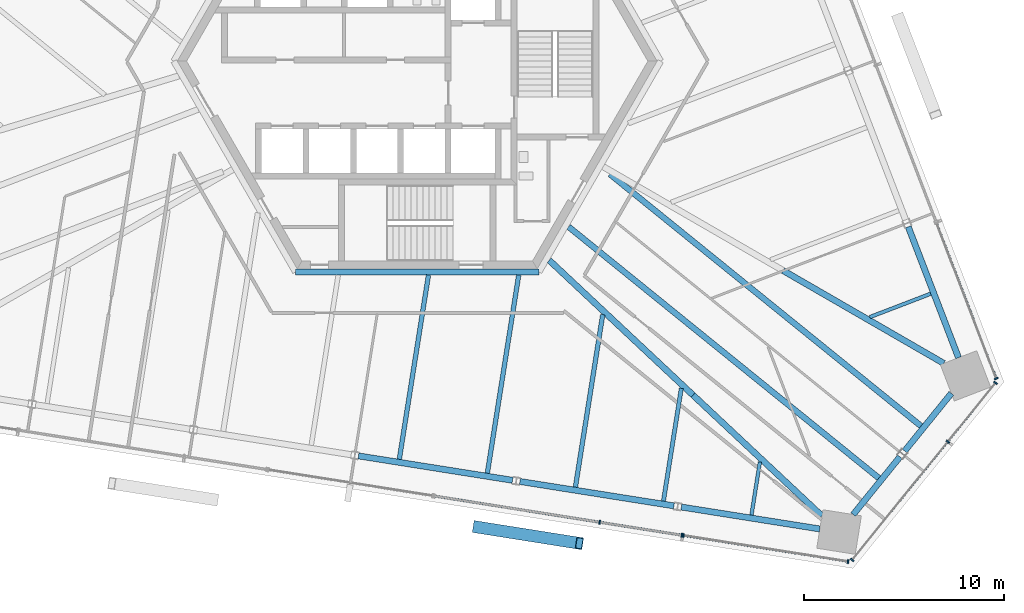
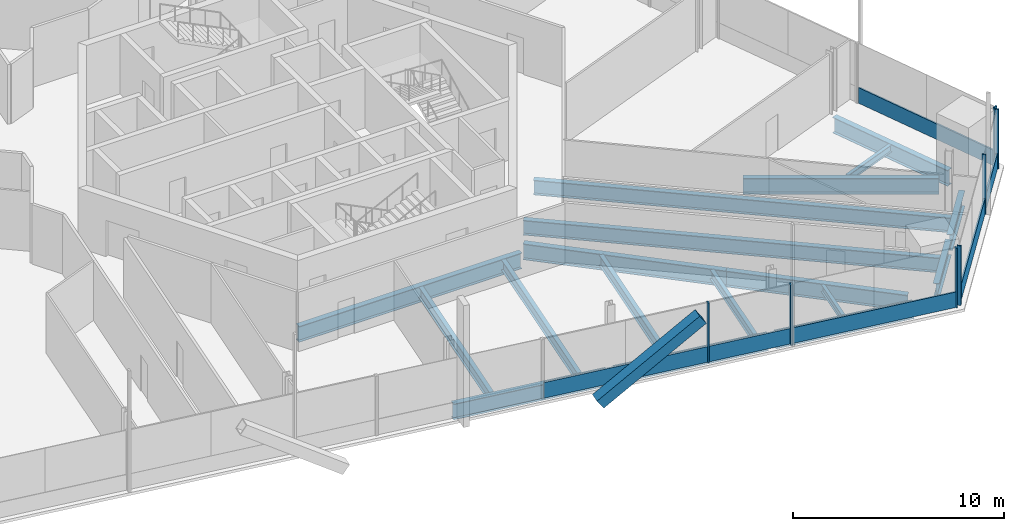
# One storey, part 6 of 21: 18 beams, 15 members, 4 elements without a shape of their own.
"""IFC4 building model written with IfcOpenShell, lengths in metres."""

from ifc_helpers import new_model, si_unit, direction, frame, origin, origin_2d, place, context, subcontext, project, spatial, rectangle, hollow_rectangle, i_section, extrude, source, transform, mapped, material, material_profile, profile_set, type_object, element, aggregate, save


model = new_model("IFC4")

# Units and contexts
model_context = context("Model", 3, precision=1e-05, world=origin(), true_north=direction((0.0, 1.0)))
body_context = subcontext(model_context, "Body", "Model", "MODEL_VIEW")
ifc_project = project(units=[si_unit("LENGTHUNIT", "METRE"), si_unit("AREAUNIT", "SQUARE_METRE"), si_unit("VOLUMEUNIT", "CUBIC_METRE"), si_unit("PLANEANGLEUNIT", "RADIAN"), si_unit("MASSUNIT", "GRAM", prefix="KILO")], contexts=[model_context])

# Site, building, storey
site_placement = place(None, origin())
site = spatial("IfcSite", under=ifc_project, at=site_placement, CompositionType="ELEMENT")
building_placement = place(site_placement, origin())
building = spatial("IfcBuilding", under=site, at=building_placement, Name="Triune Harvest Tower", CompositionType="ELEMENT")
storey_placement = place(building_placement, frame((0.0, 0.0, 160.5)))
storey = spatial("IfcBuildingStorey", under=building, at=storey_placement, Name="L41", CompositionType="ELEMENT", Elevation=160.5)

# Beams
ifc_material_1 = material(Name="Steel ASTM A992 Gr 50", Category="steel")
ifc_material_profile_1 = material_profile(ifc_material_1, i_section(OverallWidth=0.3046875, OverallDepth=0.914306640625, WebThickness=0.0166015625, FlangeThickness=0.02587890625, at=origin_2d()), Name="W36x160")
ifc_profile_set_1 = profile_set([ifc_material_profile_1], Name="Steel ASTM A992 Gr 50")
beam_type_1 = type_object("IfcBeamType", Name="CG-1 Core ring girder W36x160", PredefinedType="BEAM", material=ifc_profile_set_1)
shared_shape_1 = source(origin(), body_context, "Body", "SweptSolid", [
    extrude(i_section(OverallWidth=0.3046875, OverallDepth=0.914306640625, WebThickness=0.0166015625, FlangeThickness=0.02587890625, at=origin_2d()), origin(), (0.0, 0.0, 1.0), 12.17578125),
])
beam_1_placement = place(storey_placement, frame((-6.087890625, -10.544677734375, -0.6171875), z_axis=(1.0, 0.0, 0.0), x_axis=(0.0, 1.0, 0.0)))
element("IfcBeam", 1, at=beam_1_placement, inside=storey, type_object=beam_type_1, Name="beam/L41/CG5", PredefinedType="BEAM", context=body_context, shape_type="MappedRepresentation", body=[
    mapped(shared_shape_1, transform((0.0, 0.0, 0.0), scale=1.0)),
])
ifc_material_2 = material(Name="Steel ASTM A992 Gr 50", Category="steel")
ifc_material_profile_2 = material_profile(ifc_material_2, i_section(OverallWidth=0.307373046875, OverallDepth=0.922119140625, WebThickness=0.018310546875, FlangeThickness=0.030029296875, at=origin_2d()), Name="W36x182")
ifc_profile_set_2 = profile_set([ifc_material_profile_2], Name="Steel ASTM A992 Gr 50")
beam_type_2 = type_object("IfcBeamType", Name="HG-2 Hip girder W36x182", PredefinedType="BEAM", material=ifc_profile_set_2)
shared_shape_2 = source(origin(), body_context, "Body", "SweptSolid", [
    extrude(i_section(OverallWidth=0.307373046875, OverallDepth=0.922119140625, WebThickness=0.018310546875, FlangeThickness=0.030029296875, at=origin_2d()), origin(), (0.0, 0.0, 1.0), 9.85888671875),
])
beam_2_placement = place(storey_placement, frame((13.794189453125, -16.702392578125, -0.62109375), z_axis=(-0.729486233367, 0.683995493646, 0.0), x_axis=(-0.683995493646, -0.729486233367, 0.0)))
element("IfcBeam", 2, at=beam_2_placement, inside=storey, type_object=beam_type_2, Name="beam/L41/HG8", PredefinedType="BEAM", context=body_context, shape_type="MappedRepresentation", body=[
    mapped(shared_shape_2, transform((0.0, 0.0, 0.0), scale=1.0)),
])
ifc_material_3 = material(Name="Steel ASTM A992 Gr 50", Category="steel")
ifc_material_profile_3 = material_profile(ifc_material_3, i_section(OverallWidth=0.3046875, OverallDepth=0.914306640625, WebThickness=0.0166015625, FlangeThickness=0.02587890625, at=origin_2d()), Name="W36x160")
ifc_profile_set_3 = profile_set([ifc_material_profile_3], Name="Steel ASTM A992 Gr 50")
beam_type_3 = type_object("IfcBeamType", Name="SB-1 Spandrel beam W36x160", PredefinedType="SPANDREL", material=ifc_profile_set_3)
shared_shape_3 = source(origin(), body_context, "Body", "SweptSolid", [
    extrude(i_section(OverallWidth=0.3046875, OverallDepth=0.914306640625, WebThickness=0.0166015625, FlangeThickness=0.02587890625, at=origin_2d()), origin(), (0.0, 0.0, 1.0), 7.013427734375),
])
for number, where, z_axis, x_axis, name in (
    (3, (27.07568359375, -14.832275390625, -0.6171875), (-0.358372513984, 0.93357867436, 0.0), (-0.93357867436, -0.358372513984, 0.0), "beam/L41/SB1"),
    (4, (13.210205078125, -22.302978515625, -0.6171875), (0.987687489289, -0.156439839878, 0.0), (0.156439839878, 0.987687489289, 0.0), "beam/L41/SB22"),
):
    element("IfcBeam", number, at=place(storey_placement, frame(where, z_axis=z_axis, x_axis=x_axis)), inside=storey, type_object=beam_type_3, Name=name, PredefinedType="SPANDREL", context=body_context, shape_type="MappedRepresentation", body=[
        mapped(shared_shape_3, transform((0.0, 0.0, 0.0), scale=1.0)),
    ])
shared_shape_4 = source(origin(), body_context, "Body", "SweptSolid", [
    extrude(i_section(OverallWidth=0.3046875, OverallDepth=0.914306640625, WebThickness=0.0166015625, FlangeThickness=0.02587890625, at=origin_2d()), origin(), (0.0, 0.0, 1.0), 3.71240234375),
])
beam_3_placement = place(storey_placement, frame((21.808837890625, -22.677734375, -0.6171875), z_axis=(0.629351453127, 0.777120806855, 0.0), x_axis=(-0.777120806855, 0.629351453127, 0.0)))
element("IfcBeam", 5, at=beam_3_placement, inside=storey, type_object=beam_type_3, Name="beam/L41/SB23", PredefinedType="SPANDREL", context=body_context, shape_type="MappedRepresentation", body=[
    mapped(shared_shape_4, transform((0.0, 0.0, 0.0), scale=1.0)),
])
shared_shape_5 = source(origin(), body_context, "Body", "SweptSolid", [
    extrude(i_section(OverallWidth=0.3046875, OverallDepth=0.914306640625, WebThickness=0.0166015625, FlangeThickness=0.02587890625, at=origin_2d()), origin(), (0.0, 0.0, 1.0), 7.801513671875),
])
beam_4_placement = place(storey_placement, frame((5.135986328125, -21.024169921875, -0.6171875), z_axis=(0.98768800071, -0.156436610974, 0.0), x_axis=(0.156436610974, 0.98768800071, 0.0)))
element("IfcBeam", 6, at=beam_4_placement, inside=storey, type_object=beam_type_3, Name="beam/L41/SB21", PredefinedType="SPANDREL", context=body_context, shape_type="MappedRepresentation", body=[
    mapped(shared_shape_5, transform((0.0, 0.0, 0.0), scale=1.0)),
])
shared_shape_6 = source(origin(), body_context, "Body", "SweptSolid", [
    extrude(i_section(OverallWidth=0.3046875, OverallDepth=0.914306640625, WebThickness=0.0166015625, FlangeThickness=0.02587890625, at=origin_2d()), origin(), (0.0, 0.0, 1.0), 3.712646484375),
])
beam_5_placement = place(storey_placement, frame((24.380126953125, -19.50244140625, -0.6171875), z_axis=(0.629319290748, 0.777146852462, 0.0), x_axis=(-0.777146852462, 0.629319290748, 0.0)))
element("IfcBeam", 7, at=beam_5_placement, inside=storey, type_object=beam_type_3, Name="beam/L41/SB24", PredefinedType="SPANDREL", context=body_context, shape_type="MappedRepresentation", body=[
    mapped(shared_shape_6, transform((0.0, 0.0, 0.0), scale=1.0)),
])
shared_shape_7 = source(origin(), body_context, "Body", "SweptSolid", [
    extrude(i_section(OverallWidth=0.3046875, OverallDepth=0.914306640625, WebThickness=0.0166015625, FlangeThickness=0.02587890625, at=origin_2d()), origin(), (0.0, 0.0, 1.0), 7.80126953125),
])
beam_6_placement = place(storey_placement, frame((-2.938232421875, -19.745361328125, -0.6171875), z_axis=(0.987687234845, -0.15644144631, 0.0), x_axis=(0.15644144631, 0.987687234845, 0.0)))
element("IfcBeam", 8, at=beam_6_placement, inside=storey, type_object=beam_type_3, Name="beam/L41/SB20", PredefinedType="SPANDREL", context=body_context, shape_type="MappedRepresentation", body=[
    mapped(shared_shape_7, transform((0.0, 0.0, 0.0), scale=1.0)),
])
shared_shape_8 = source(origin(), body_context, "Body", "SweptSolid", [
    extrude(i_section(OverallWidth=0.307373046875, OverallDepth=0.922119140625, WebThickness=0.018310546875, FlangeThickness=0.030029296875, at=origin_2d()), origin(), (0.0, 0.0, 1.0), 9.28369140625),
])
beam_7_placement = place(storey_placement, frame((26.33837890625, -15.114990234375, -0.62109375), z_axis=(-0.86602880926, 0.499994101496, 0.0), x_axis=(-0.499994101496, -0.86602880926, 0.0)))
element("IfcBeam", 9, at=beam_7_placement, inside=storey, type_object=beam_type_2, Name="beam/L41/HG1", PredefinedType="BEAM", context=body_context, shape_type="MappedRepresentation", body=[
    mapped(shared_shape_8, transform((0.0, 0.0, 0.0), scale=1.0)),
])
shared_shape_9 = source(origin(), body_context, "Body", "SweptSolid", [
    extrude(i_section(OverallWidth=0.307373046875, OverallDepth=0.922119140625, WebThickness=0.018310546875, FlangeThickness=0.030029296875, at=origin_2d()), origin(), (0.0, 0.0, 1.0), 8.8369140625),
])
beam_8_placement = place(storey_placement, frame((20.24072265625, -22.746826171875, -0.62109375), z_axis=(-0.729491540387, 0.683989833626, 0.0), x_axis=(-0.683989833626, -0.729491540387, 0.0)))
element("IfcBeam", 10, at=beam_8_placement, inside=storey, type_object=beam_type_2, Name="beam/L41/HG7", PredefinedType="BEAM", context=body_context, shape_type="MappedRepresentation", body=[
    mapped(shared_shape_9, transform((0.0, 0.0, 0.0), scale=1.0)),
])
ifc_material_4 = material(Name="Steel ASTM A992 Gr 50", Category="steel")
ifc_material_profile_4 = material_profile(ifc_material_4, i_section(OverallWidth=0.180908203125, OverallDepth=0.41650390625, WebThickness=0.010986328125, FlangeThickness=0.01806640625, at=origin_2d()), Name="W16x57")
ifc_profile_set_4 = profile_set([ifc_material_profile_4], Name="Steel ASTM A992 Gr 50")
beam_type_4 = type_object("IfcBeamType", Name="JT-1 Floor joist W16x57", PredefinedType="JOIST", material=ifc_profile_set_4)
shared_shape_10 = source(origin(), body_context, "Body", "SweptSolid", [
    extrude(i_section(OverallWidth=0.180908203125, OverallDepth=0.41650390625, WebThickness=0.010986328125, FlangeThickness=0.01806640625, at=origin_2d()), origin(), (0.0, 0.0, 1.0), 3.260986328125),
])
beam_9_placement = place(storey_placement, frame((25.684814453125, -11.634033203125, -0.368408203125), z_axis=(-0.933600075775, -0.35831675723, 0.0), x_axis=(0.35831675723, -0.933600075775, 0.0)))
element("IfcBeam", 11, at=beam_9_placement, inside=storey, type_object=beam_type_4, Name="beam/L41/JT1", PredefinedType="JOIST", context=body_context, shape_type="MappedRepresentation", body=[
    mapped(shared_shape_10, transform((0.0, 0.0, 0.0), scale=1.0)),
])
ifc_material_5 = material(Name="Steel ASTM A992 Gr 50", Category="steel")
ifc_material_profile_5 = material_profile(ifc_material_5, i_section(OverallWidth=0.2919921875, OverallDepth=0.8583984375, WebThickness=0.01708984375, FlangeThickness=0.031005859375, at=origin_2d()), Name="W33x169")
ifc_profile_set_5 = profile_set([ifc_material_profile_5], Name="Steel ASTM A992 Gr 50")
beam_type_5 = type_object("IfcBeamType", Name="JT-7 Floor joist W33x169", PredefinedType="JOIST", material=ifc_profile_set_5)
shared_shape_11 = source(origin(), body_context, "Body", "SweptSolid", [
    extrude(i_section(OverallWidth=0.2919921875, OverallDepth=0.8583984375, WebThickness=0.01708984375, FlangeThickness=0.031005859375, at=origin_2d()), origin(), (0.0, 0.0, 1.0), 19.97216796875),
])
beam_10_placement = place(storey_placement, frame((23.090087890625, -20.853515625, -0.58935546875), z_axis=(-0.777140102023, 0.629327626779, 0.0), x_axis=(-0.629327626779, -0.777140102023, 0.0)))
element("IfcBeam", 12, at=beam_10_placement, inside=storey, type_object=beam_type_5, Name="beam/L41/JT35", PredefinedType="JOIST", context=body_context, shape_type="MappedRepresentation", body=[
    mapped(shared_shape_11, transform((0.0, 0.0, 0.0), scale=1.0)),
])
shared_shape_12 = source(origin(), body_context, "Body", "SweptSolid", [
    extrude(i_section(OverallWidth=0.2919921875, OverallDepth=0.8583984375, WebThickness=0.01708984375, FlangeThickness=0.031005859375, at=origin_2d()), origin(), (0.0, 0.0, 1.0), 20.01611328125),
])
beam_11_placement = place(storey_placement, frame((25.198486328125, -18.25, -0.58935546875), z_axis=(-0.777142320664, 0.629324887028, 0.0), x_axis=(-0.629324887028, -0.777142320664, 0.0)))
element("IfcBeam", 13, at=beam_11_placement, inside=storey, type_object=beam_type_5, Name="beam/L41/JT36", PredefinedType="JOIST", context=body_context, shape_type="MappedRepresentation", body=[
    mapped(shared_shape_12, transform((0.0, 0.0, 0.0), scale=1.0)),
])
ifc_material_6 = material(Name="Steel ASTM A992 Gr 50", Category="steel")
ifc_material_profile_6 = material_profile(ifc_material_6, i_section(OverallWidth=0.22900390625, OverallDepth=0.612060546875, WebThickness=0.011962890625, FlangeThickness=0.01953125, at=origin_2d()), Name="W24x84")
ifc_profile_set_6 = profile_set([ifc_material_profile_6], Name="Steel ASTM A992 Gr 50")
beam_type_6 = type_object("IfcBeamType", Name="JT-3 Floor joist W24x84", PredefinedType="JOIST", material=ifc_profile_set_6)
shared_shape_13 = source(origin(), body_context, "Body", "SweptSolid", [
    extrude(i_section(OverallWidth=0.22900390625, OverallDepth=0.612060546875, WebThickness=0.011962890625, FlangeThickness=0.01953125, at=origin_2d()), origin(), (0.0, 0.0, 1.0), 9.332275390625),
])
beam_12_placement = place(storey_placement, frame((-0.896728515625, -19.914306640625, -0.466064453125), z_axis=(0.156417974358, 0.987690952321, 0.0), x_axis=(-0.987690952321, 0.156417974358, 0.0)))
element("IfcBeam", 14, at=beam_12_placement, inside=storey, type_object=beam_type_6, Name="beam/L41/JT30", PredefinedType="JOIST", context=body_context, shape_type="MappedRepresentation", body=[
    mapped(shared_shape_13, transform((0.0, 0.0, 0.0), scale=1.0)),
])
shared_shape_14 = source(origin(), body_context, "Body", "SweptSolid", [
    extrude(i_section(OverallWidth=0.22900390625, OverallDepth=0.612060546875, WebThickness=0.011962890625, FlangeThickness=0.01953125, at=origin_2d()), origin(), (0.0, 0.0, 1.0), 10.03857421875),
])
beam_13_placement = place(storey_placement, frame((3.50732421875, -20.612060546875, -0.466064453125), z_axis=(0.156427136615, 0.987689501276, 0.0), x_axis=(-0.987689501276, 0.156427136615, 0.0)))
element("IfcBeam", 15, at=beam_13_placement, inside=storey, type_object=beam_type_6, Name="beam/L41/JT31", PredefinedType="JOIST", context=body_context, shape_type="MappedRepresentation", body=[
    mapped(shared_shape_14, transform((0.0, 0.0, 0.0), scale=1.0)),
])
shared_shape_15 = source(origin(), body_context, "Body", "SweptSolid", [
    extrude(i_section(OverallWidth=0.22900390625, OverallDepth=0.612060546875, WebThickness=0.011962890625, FlangeThickness=0.01953125, at=origin_2d()), origin(), (0.0, 0.0, 1.0), 8.73828125),
])
beam_14_placement = place(storey_placement, frame((7.91162109375, -21.3095703125, -0.466064453125), z_axis=(0.156433147227, 0.987688549315, 0.0), x_axis=(-0.987688549315, 0.156433147227, 0.0)))
element("IfcBeam", 16, at=beam_14_placement, inside=storey, type_object=beam_type_6, Name="beam/L41/JT32", PredefinedType="JOIST", context=body_context, shape_type="MappedRepresentation", body=[
    mapped(shared_shape_15, transform((0.0, 0.0, 0.0), scale=1.0)),
])
ifc_material_7 = material(Name="Steel ASTM A992 Gr 50", Category="steel")
ifc_material_profile_7 = material_profile(ifc_material_7, i_section(OverallWidth=0.2099609375, OverallDepth=0.535888671875, WebThickness=0.010986328125, FlangeThickness=0.017333984375, at=origin_2d()), Name="W21x68")
ifc_profile_set_7 = profile_set([ifc_material_profile_7], Name="Steel ASTM A992 Gr 50")
beam_type_7 = type_object("IfcBeamType", Name="JT-2 Floor joist W21x68", PredefinedType="JOIST", material=ifc_profile_set_7)
shared_shape_16 = source(origin(), body_context, "Body", "SweptSolid", [
    extrude(i_section(OverallWidth=0.2099609375, OverallDepth=0.535888671875, WebThickness=0.010986328125, FlangeThickness=0.017333984375, at=origin_2d()), origin(), (0.0, 0.0, 1.0), 5.712646484375),
])
beam_15_placement = place(storey_placement, frame((12.315673828125, -22.007080078125, -0.427978515625), z_axis=(0.156458528862, 0.98768452896, 0.0), x_axis=(-0.98768452896, 0.156458528862, 0.0)))
element("IfcBeam", 17, at=beam_15_placement, inside=storey, type_object=beam_type_7, Name="beam/L41/JT33", PredefinedType="JOIST", context=body_context, shape_type="MappedRepresentation", body=[
    mapped(shared_shape_16, transform((0.0, 0.0, 0.0), scale=1.0)),
])
shared_shape_17 = source(origin(), body_context, "Body", "SweptSolid", [
    extrude(i_section(OverallWidth=0.180908203125, OverallDepth=0.41650390625, WebThickness=0.010986328125, FlangeThickness=0.01806640625, at=origin_2d()), origin(), (0.0, 0.0, 1.0), 2.6875),
])
beam_16_placement = place(storey_placement, frame((16.719970703125, -22.70458984375, -0.368408203125), z_axis=(0.156438396813, 0.987687717856, 0.0), x_axis=(-0.987687717856, 0.156438396813, 0.0)))
element("IfcBeam", 18, at=beam_16_placement, inside=storey, type_object=beam_type_4, Name="beam/L41/JT34", PredefinedType="JOIST", context=body_context, shape_type="MappedRepresentation", body=[
    mapped(shared_shape_17, transform((0.0, 0.0, 0.0), scale=1.0)),
])

# Member
ifc_material_8 = material(Name="Steel ASTM A572 Gr 50", Category="steel")
ifc_material_profile_8 = material_profile(ifc_material_8, hollow_rectangle(XDim=0.60009765625, YDim=0.60009765625, WallThickness=0.0400390625, at=origin_2d()), Name="Box 600x600x40")
ifc_profile_set_8 = profile_set([ifc_material_profile_8], Name="Steel ASTM A572 Gr 50")
member_type_1 = type_object("IfcMemberType", Name="BR-2 Brace Box 600x600x40", PredefinedType="BRACE", material=ifc_profile_set_8)
shared_shape_18 = source(origin(), body_context, "Body", "SweptSolid", [
    extrude(hollow_rectangle(XDim=0.60009765625, YDim=0.60009765625, WallThickness=0.0400390625, at=origin_2d()), origin(), (0.0, 0.0, 1.0), 6.329345703125),
])
member_1_placement = place(storey_placement, frame((2.969482421875, -23.302001953125, 0.0), z_axis=(0.812348503094, -0.128679705903, 0.568798244379), x_axis=(0.15645384908, 0.98768527027, 0.0)))
element("IfcMember", 19, at=member_1_placement, inside=storey, type_object=member_type_1, Name="brace/B4-F5/d1/7", PredefinedType="BRACE", context=body_context, shape_type="MappedRepresentation", body=[
    mapped(shared_shape_18, transform((0.0, 0.0, 0.0), scale=1.0)),
])

# Curtain wall, member
ifc_material_9 = material(Name="Aluminium bronze anodised", Category="aluminium")
curtain_wall_type_1 = type_object("IfcCurtainWallType", Name="CW-1 Tower stick curtain wall", PredefinedType="NOTDEFINED", material=ifc_material_9)
curtain_wall_1_placement = place(storey_placement, origin())
curtain_wall_1 = element("IfcCurtainWall", 20, at=curtain_wall_1_placement, inside=storey, type_object=curtain_wall_type_1, Name="CW-1 B4-F1 L41 run 1")
ifc_material_10 = material(Name="Aluminium bronze anodised", Category="aluminium")
ifc_material_profile_9 = material_profile(ifc_material_10, rectangle(XDim=0.199951171875, YDim=0.074951171875, at=origin_2d()), Name="MU-1 mullion 75 x 200")
ifc_profile_set_9 = profile_set([ifc_material_profile_9], Name="Aluminium bronze anodised")
member_type_2 = type_object("IfcMemberType", Name="MU-1 mullion 75 x 200", PredefinedType="MULLION", material=ifc_profile_set_9)
shared_shape_19 = source(origin(), body_context, "Body", "SweptSolid", [
    extrude(rectangle(XDim=0.199951171875, YDim=0.074951171875, at=origin_2d()), origin(), (0.0, 0.0, 1.0), 3.43994140625),
])
member_2_placement = place(storey_placement, frame((28.963134765625, -15.874267578125, 0.0), z_axis=(0.0, 0.0, 1.0), x_axis=(-0.933577281141, -0.35837614337, 0.0)))
member_2 = element("IfcMember", 21, at=member_2_placement, type_object=member_type_2, Name="CW-1 mullion B4-F1 1.1", PredefinedType="MULLION", context=body_context, shape_type="MappedRepresentation", body=[
    mapped(shared_shape_19, transform((0.0, 0.0, 0.0), scale=1.0)),
])

# Curtain wall, members
ifc_material_11 = material(Name="Aluminium bronze anodised", Category="aluminium")
curtain_wall_type_2 = type_object("IfcCurtainWallType", Name="CW-7 Tower stick curtain wall with insulated spandrel infill", PredefinedType="NOTDEFINED", material=ifc_material_11)
curtain_wall_2_placement = place(storey_placement, origin())
curtain_wall_2 = element("IfcCurtainWall", 22, at=curtain_wall_2_placement, inside=storey, type_object=curtain_wall_type_2, Name="CW-7 B4-F5 L41 run 3001")
member_3_placement = place(storey_placement, frame((9.123046875, -23.061767578125, 0.0), z_axis=(0.0, 0.0, 1.0), x_axis=(0.156430964452, 0.987688895028, 0.0)))
member_3 = element("IfcMember", 23, at=member_3_placement, type_object=member_type_2, Name="CW-7 mullion B4-F5 3001.3", PredefinedType="MULLION", context=body_context, shape_type="MappedRepresentation", body=[
    mapped(shared_shape_19, transform((0.0, 0.0, 0.0), scale=1.0)),
])
member_4_placement = place(storey_placement, frame((13.240478515625, -23.7138671875, 0.0), z_axis=(0.0, 0.0, 1.0), x_axis=(0.156430964452, 0.987688895028, 0.0)))
member_4 = element("IfcMember", 24, at=member_4_placement, type_object=member_type_2, Name="CW-7 mullion B4-F5 3001.4", PredefinedType="MULLION", context=body_context, shape_type="MappedRepresentation", body=[
    mapped(shared_shape_19, transform((0.0, 0.0, 0.0), scale=1.0)),
])

curtain_wall_3_placement = place(storey_placement, origin())
curtain_wall_3 = element("IfcCurtainWall", 25, at=curtain_wall_3_placement, inside=storey, type_object=curtain_wall_type_1, Name="CW-1 B4-F5 L41 run 4001")
member_5_placement = place(storey_placement, frame((13.314453125, -23.7255859375, 0.0), z_axis=(0.0, 0.0, 1.0), x_axis=(0.156440353369, 0.987687407957, 0.0)))
member_5 = element("IfcMember", 26, at=member_5_placement, type_object=member_type_2, Name="CW-1 mullion B4-F5 4001.1", PredefinedType="MULLION", context=body_context, shape_type="MappedRepresentation", body=[
    mapped(shared_shape_19, transform((0.0, 0.0, 0.0), scale=1.0)),
])
member_6_placement = place(storey_placement, frame((21.549072265625, -25.02978515625, 0.0), z_axis=(0.0, 0.0, 1.0), x_axis=(0.156440353369, 0.987687407957, 0.0)))
member_6 = element("IfcMember", 27, at=member_6_placement, type_object=member_type_2, Name="CW-1 mullion B4-F5 4001.3", PredefinedType="MULLION", context=body_context, shape_type="MappedRepresentation", body=[
    mapped(shared_shape_19, transform((0.0, 0.0, 0.0), scale=1.0)),
])

curtain_wall_4_placement = place(storey_placement, origin())
curtain_wall_4 = element("IfcCurtainWall", 28, at=curtain_wall_4_placement, inside=storey, type_object=curtain_wall_type_1, Name="CW-1 B4-F6 L41 run 1")
member_7_placement = place(storey_placement, frame((21.755126953125, -24.95068359375, 0.0), z_axis=(0.0, 0.0, 1.0), x_axis=(-0.777145544932, 0.629320905414, 0.0)))
member_7 = element("IfcMember", 29, at=member_7_placement, type_object=member_type_2, Name="CW-1 mullion B4-F6 1.1", PredefinedType="MULLION", context=body_context, shape_type="MappedRepresentation", body=[
    mapped(shared_shape_19, transform((0.0, 0.0, 0.0), scale=1.0)),
])
member_8_placement = place(storey_placement, frame((26.54541015625, -19.035400390625, 0.0), z_axis=(0.0, 0.0, 1.0), x_axis=(-0.777145544932, 0.629320905414, 0.0)))
member_8 = element("IfcMember", 30, at=member_8_placement, type_object=member_type_2, Name="CW-1 mullion B4-F6 1.3", PredefinedType="MULLION", context=body_context, shape_type="MappedRepresentation", body=[
    mapped(shared_shape_19, transform((0.0, 0.0, 0.0), scale=1.0)),
])
member_9_placement = place(storey_placement, frame((28.9287109375, -16.09228515625, 0.0), z_axis=(0.0, 0.0, 1.0), x_axis=(-0.777145544932, 0.629320905414, 0.0)))
member_9 = element("IfcMember", 31, at=member_9_placement, type_object=member_type_2, Name="CW-1 mullion B4-F6 1.4", PredefinedType="MULLION", context=body_context, shape_type="MappedRepresentation", body=[
    mapped(shared_shape_19, transform((0.0, 0.0, 0.0), scale=1.0)),
])
ifc_material_12 = material(Name="Aluminium bronze anodised", Category="aluminium")
ifc_material_profile_10 = material_profile(ifc_material_12, rectangle(XDim=0.090087890625, YDim=0.89990234375, at=origin_2d()), Name="TR-1 transom 90 x 900")
ifc_profile_set_10 = profile_set([ifc_material_profile_10], Name="Aluminium bronze anodised")
member_type_3 = type_object("IfcMemberType", Name="TR-1 transom 90 x 900", PredefinedType="USERDEFINED", material=ifc_profile_set_10)
shared_shape_20 = source(origin(), body_context, "Body", "SweptSolid", [
    extrude(rectangle(XDim=0.090087890625, YDim=0.89990234375, at=origin_2d()), origin(), (0.0, 0.0, 1.0), 7.53662109375),
])
member_10_placement = place(storey_placement, frame((21.77880859375, -24.921630859375, 0.449951171875), z_axis=(0.629310046563, 0.777154338143, 0.0), x_axis=(-0.777154338143, 0.629310046563, 0.0)))
member_10 = element("IfcMember", 32, at=member_10_placement, type_object=member_type_3, Name="CW-1 transom B4-F6 1.1", ObjectType="TRANSOM", PredefinedType="USERDEFINED", context=body_context, shape_type="MappedRepresentation", body=[
    mapped(shared_shape_20, transform((0.0, 0.0, 0.0), scale=1.0)),
])
shared_shape_21 = source(origin(), body_context, "Body", "SweptSolid", [
    extrude(rectangle(XDim=0.090087890625, YDim=0.89990234375, at=origin_2d()), origin(), (0.0, 0.0, 1.0), 3.712158203125),
])
member_11_placement = place(storey_placement, frame((26.569091796875, -19.00634765625, 0.449951171875), z_axis=(0.629272012567, 0.777185135087, 0.0), x_axis=(-0.777185135087, 0.629272012567, 0.0)))
member_11 = element("IfcMember", 33, at=member_11_placement, type_object=member_type_3, Name="CW-1 transom B4-F6 1.2", ObjectType="TRANSOM", PredefinedType="USERDEFINED", context=body_context, shape_type="MappedRepresentation", body=[
    mapped(shared_shape_21, transform((0.0, 0.0, 0.0), scale=1.0)),
])
aggregate(curtain_wall_4, [member_7, member_8, member_9, member_10, member_11])

# Member
shared_shape_22 = source(origin(), body_context, "Body", "SweptSolid", [
    extrude(rectangle(XDim=0.090087890625, YDim=0.89990234375, at=origin_2d()), origin(), (0.0, 0.0, 1.0), 8.2998046875),
])
member_12_placement = place(storey_placement, frame((0.888427734375, -21.757568359375, 0.449951171875), z_axis=(0.987688678524, -0.156432331429, 0.0), x_axis=(0.156432331429, 0.987688678524, 0.0)))
member_12 = element("IfcMember", 34, at=member_12_placement, type_object=member_type_3, Name="CW-7 transom B4-F5 3001.1", ObjectType="TRANSOM", PredefinedType="USERDEFINED", context=body_context, shape_type="MappedRepresentation", body=[
    mapped(shared_shape_22, transform((0.0, 0.0, 0.0), scale=1.0)),
])

shared_shape_23 = source(origin(), body_context, "Body", "SweptSolid", [
    extrude(rectangle(XDim=0.090087890625, YDim=0.89990234375, at=origin_2d()), origin(), (0.0, 0.0, 1.0), 8.26220703125),
])
member_13_placement = place(storey_placement, frame((28.94970703125, -15.839111328125, 0.449951171875), z_axis=(-0.358373092083, 0.933578452446, 0.0), x_axis=(-0.933578452446, -0.358373092083, 0.0)))
member_13 = element("IfcMember", 35, at=member_13_placement, type_object=member_type_3, Name="CW-1 transom B4-F1 1.1", ObjectType="TRANSOM", PredefinedType="USERDEFINED", context=body_context, shape_type="MappedRepresentation", body=[
    mapped(shared_shape_23, transform((0.0, 0.0, 0.0), scale=1.0)),
])

aggregate(curtain_wall_1, [member_2, member_13])

member_14_placement = place(storey_placement, frame((13.3515625, -23.7314453125, 0.449951171875), z_axis=(0.98768834022, -0.156434467408, 0.0), x_axis=(0.156434467408, 0.98768834022, 0.0)))
member_14 = element("IfcMember", 36, at=member_14_placement, type_object=member_type_3, Name="CW-1 transom B4-F5 4001.1", ObjectType="TRANSOM", PredefinedType="USERDEFINED", context=body_context, shape_type="MappedRepresentation", body=[
    mapped(shared_shape_23, transform((0.0, 0.0, 0.0), scale=1.0)),
])

aggregate(curtain_wall_3, [member_5, member_6, member_14])

shared_shape_24 = source(origin(), body_context, "Body", "SweptSolid", [
    extrude(rectangle(XDim=0.090087890625, YDim=0.89990234375, at=origin_2d()), origin(), (0.0, 0.0, 1.0), 4.093505859375),
])
member_15_placement = place(storey_placement, frame((9.16015625, -23.067626953125, 0.449951171875), z_axis=(0.987688384054, -0.156434190651, 0.0), x_axis=(0.156434190651, 0.987688384054, 0.0)))
member_15 = element("IfcMember", 37, at=member_15_placement, type_object=member_type_3, Name="CW-7 transom B4-F5 3001.2", ObjectType="TRANSOM", PredefinedType="USERDEFINED", context=body_context, shape_type="MappedRepresentation", body=[
    mapped(shared_shape_24, transform((0.0, 0.0, 0.0), scale=1.0)),
])

aggregate(curtain_wall_2, [member_3, member_4, member_12, member_15])

save(model, "model.ifc")
